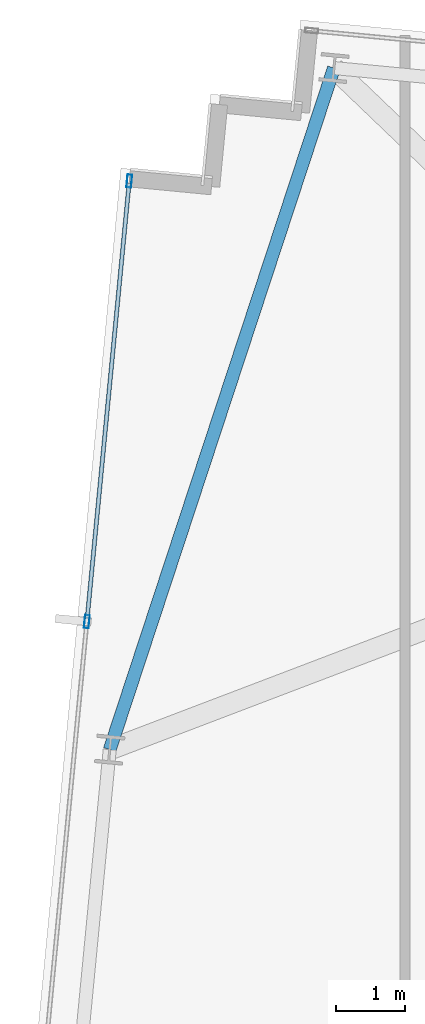
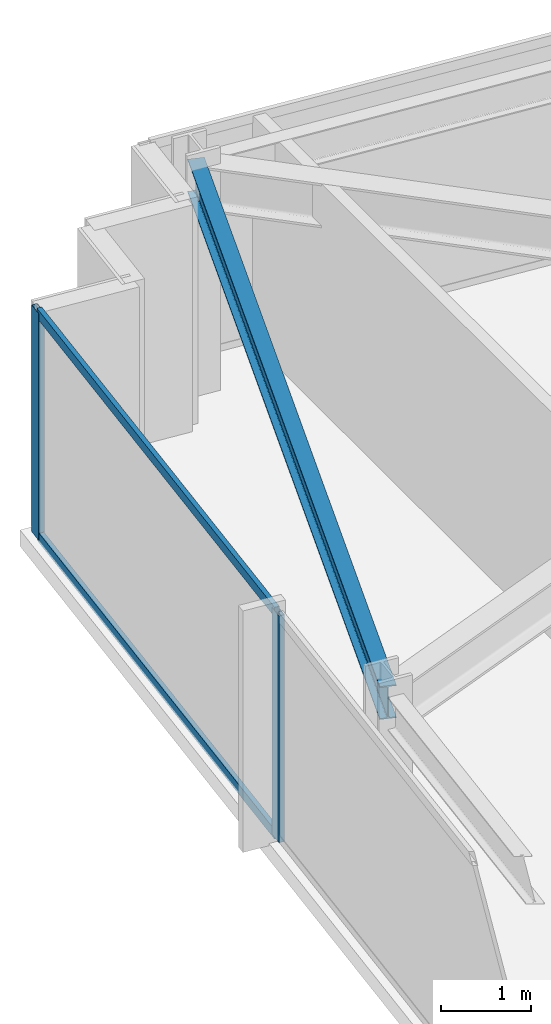
# One storey, part 21 of 38: 4 members, 1 beam, 1 element without a shape of its own.
"""IFC4 building model written with IfcOpenShell, lengths in metres."""

from ifc_helpers import new_model, si_unit, direction, frame, origin, origin_2d, place, context, subcontext, project, spatial, hollow_rectangle, i_section, extrude, material, material_profile, profile_set, type_object, element, aggregate, save


model = new_model("IFC4")

# Units and contexts
model_context = context("Model", 3, precision=1e-05, world=origin(), true_north=direction((0.0, 1.0)))
body_context = subcontext(model_context, "Body", "Model", "MODEL_VIEW")
ifc_project = project(units=[si_unit("LENGTHUNIT", "METRE"), si_unit("AREAUNIT", "SQUARE_METRE"), si_unit("VOLUMEUNIT", "CUBIC_METRE"), si_unit("PLANEANGLEUNIT", "RADIAN"), si_unit("MASSUNIT", "GRAM", prefix="KILO")], contexts=[model_context])

# Site, building, storey
site_placement = place(None, origin())
site = spatial("IfcSite", under=ifc_project, at=site_placement, CompositionType="ELEMENT")
building_placement = place(site_placement, origin())
building = spatial("IfcBuilding", under=site, at=building_placement, Name="Yelkora Congress Tower", CompositionType="ELEMENT")
storey_placement = place(building_placement, frame((0.0, 0.0, 185.300048828125)))
storey = spatial("IfcBuildingStorey", under=building, at=storey_placement, Name="L51", CompositionType="ELEMENT", Elevation=185.300048828125)

# Beam
ifc_material_1 = material(Name="Steel S355J2", Category="steel")
ifc_material_profile_1 = material_profile(ifc_material_1, i_section(OverallWidth=0.18994140625, OverallDepth=0.449951171875, WebThickness=0.009521484375, FlangeThickness=0.0146484375, FilletRadius=0.02099609375, at=origin_2d()), Name="IPE 450")
ifc_profile_set_1 = profile_set([ifc_material_profile_1], Name="Steel S355J2")
beam_type = type_object("IfcBeamType", Name="BM-SPAN-IPE450", PredefinedType="SPANDREL", material=ifc_profile_set_1)
beam_placement = place(storey_placement, frame((7.388916015625, 50.390625, 2.85498046875), z_axis=(-0.312456737339, -0.949931990877, 0.0), x_axis=(0.949931990877, -0.312456737339, 0.0)))
element("IfcBeam", 1, at=beam_placement, inside=storey, type_object=beam_type, Name="L51 Perimeter Beam 16", PredefinedType="SPANDREL", context=body_context, shape_type="SweptSolid", body=[
    extrude(i_section(OverallWidth=0.18994140625, OverallDepth=0.449951171875, WebThickness=0.009521484375, FlangeThickness=0.0146484375, FilletRadius=0.02099609375, at=origin_2d()), origin(), (0.0, 0.0, 1.0), 10.4560546875),
])

# Curtain wall, members
ifc_material_2 = material(Name="Anodised aluminium and insulated glass", Category="aluminium")
curtain_wall_type = type_object("IfcCurtainWallType", Name="CW-SYS-B3", PredefinedType="NOTDEFINED", material=ifc_material_2)
curtain_wall_placement = place(storey_placement, origin())
curtain_wall = element("IfcCurtainWall", 2, at=curtain_wall_placement, inside=storey, type_object=curtain_wall_type, Name="L51 Unitised Curtain Wall 5", PredefinedType="NOTDEFINED")
ifc_material_3 = material(Name="Anodised aluminium 6063-T6", Category="aluminium")
ifc_material_profile_2 = material_profile(ifc_material_3, hollow_rectangle(XDim=0.070068359375, YDim=0.18994140625, WallThickness=0.00390625, at=origin_2d()), Name="ALU 70x190x4")
ifc_profile_set_2 = profile_set([ifc_material_profile_2], Name="Anodised aluminium 6063-T6")
member_type_1 = type_object("IfcMemberType", Name="MEM-ML-B3", PredefinedType="MULLION", material=ifc_profile_set_2)
member_1_placement = place(storey_placement, frame((3.7890625, 42.324462890625, 0.0), z_axis=(0.0, 0.0, 1.0), x_axis=(-0.995396242473, 0.095845294465, 0.0)))
member_1 = element("IfcMember", 3, at=member_1_placement, type_object=member_type_1, Name="CW-B3 mullion 5", PredefinedType="MULLION", context=body_context, shape_type="SweptSolid", body=[
    extrude(hollow_rectangle(XDim=0.070068359375, YDim=0.18994140625, WallThickness=0.00390625, at=origin_2d()), origin(), (0.0, 0.0, 1.0), 3.079833984375),
])
member_2_placement = place(storey_placement, frame((4.4072265625, 48.74365234375, 0.0), z_axis=(0.0, 0.0, 1.0), x_axis=(-0.995396242473, 0.095845294465, 0.0)))
member_2 = element("IfcMember", 4, at=member_2_placement, type_object=member_type_1, Name="CW-B3 mullion 6", PredefinedType="MULLION", context=body_context, shape_type="SweptSolid", body=[
    extrude(hollow_rectangle(XDim=0.070068359375, YDim=0.18994140625, WallThickness=0.00390625, at=origin_2d()), origin(), (0.0, 0.0, 1.0), 3.079833984375),
])
ifc_material_profile_3 = material_profile(ifc_material_3, hollow_rectangle(XDim=0.06005859375, YDim=0.1298828125, WallThickness=0.00390625, at=origin_2d()), Name="ALU 60x130x4")
ifc_profile_set_3 = profile_set([ifc_material_profile_3], Name="Anodised aluminium 6063-T6")
member_type_2 = type_object("IfcMemberType", Name="MEM-TR-B3", PredefinedType="USERDEFINED", material=ifc_profile_set_3)
member_3_placement = place(storey_placement, frame((3.79248046875, 42.359375, 0.030029296875), z_axis=(0.095834923543, 0.99539724102, 0.0), x_axis=(-0.99539724102, 0.095834923543, 0.0)))
member_3 = element("IfcMember", 5, at=member_3_placement, type_object=member_type_2, Name="CW-B3 transom 5.1", ObjectType="TRANSOM", PredefinedType="USERDEFINED", context=body_context, shape_type="SweptSolid", body=[
    extrude(hollow_rectangle(XDim=0.06005859375, YDim=0.1298828125, WallThickness=0.00390625, at=origin_2d()), origin(), (0.0, 0.0, 1.0), 6.37890625),
])
member_4_placement = place(storey_placement, frame((3.79248046875, 42.359375, 3.050048828125), z_axis=(0.095834923543, 0.99539724102, 0.0), x_axis=(-0.99539724102, 0.095834923543, 0.0)))
member_4 = element("IfcMember", 6, at=member_4_placement, type_object=member_type_2, Name="CW-B3 transom 5.2", ObjectType="TRANSOM", PredefinedType="USERDEFINED", context=body_context, shape_type="SweptSolid", body=[
    extrude(hollow_rectangle(XDim=0.06005859375, YDim=0.1298828125, WallThickness=0.00390625, at=origin_2d()), origin(), (0.0, 0.0, 1.0), 6.37890625),
])
aggregate(curtain_wall, [member_1, member_2, member_3, member_4])

save(model, "model.ifc")
